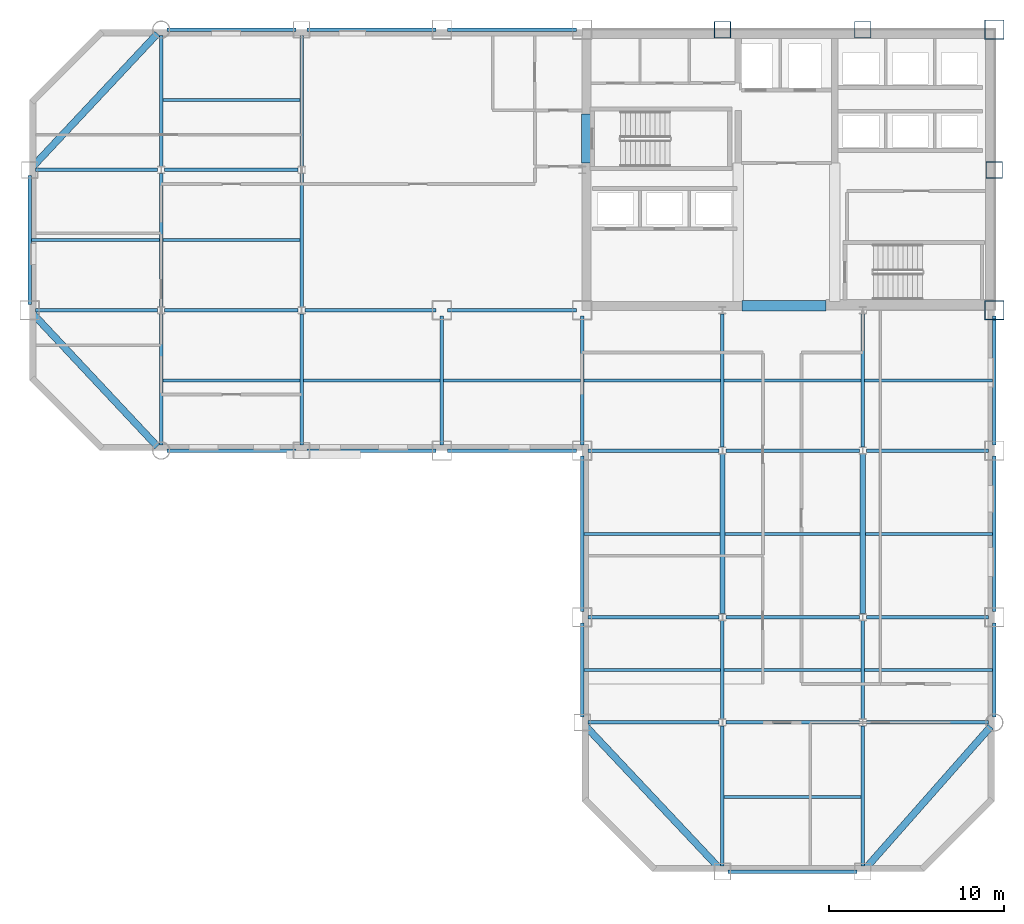
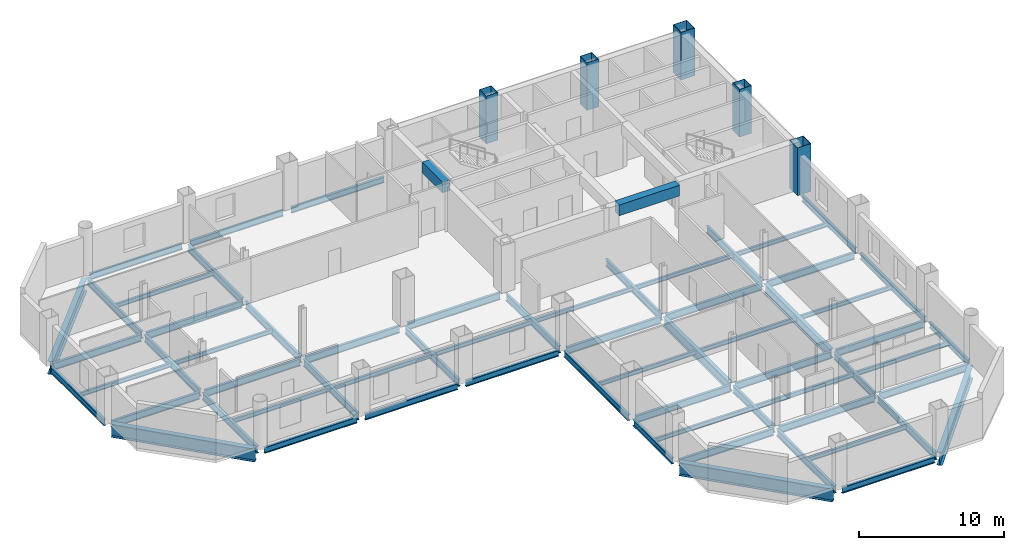
# One storey, part 4 of 9: 66 beams, 5 columns.
"""IFC4 building model written with IfcOpenShell, lengths in metres."""

import ifcopenshell
import ifcopenshell.guid

model = None  # the IFC model being written
_history = None  # IfcOwnerHistory: only IFC2X3 demands one
_inside = {}  # id of a spatial element -> (the spatial element, [elements in it])
_under = {}  # id of a project, library or spatial element -> (it, [spatial elements below it])
_declared = {}  # id of a project -> (the project, [libraries it declares])
_typed = {}  # id of a type object -> (the type object, [elements of that type])
_made_of = {}  # id of a material, layer set ... -> (it, [elements and type objects made of it])


def new_model(schema):
    """Start an empty IFC model of exactly this schema.

    Asked for "IFC4X3", IfcOpenShell would pick the latest addendum, in which some entities
    have other attributes; the version numbers below select the first issue.
    IFC2X3 requires an IfcOwnerHistory on every rooted entity: one is made here for all.
    """
    global model, _history
    if schema == "IFC4X3":
        model = ifcopenshell.file(schema_version=(4, 3, 0, 0))
    else:
        model = ifcopenshell.file(schema=schema)
    _inside.clear()
    _under.clear()
    _declared.clear()
    _typed.clear()
    _made_of.clear()
    _history = None
    if model.schema == "IFC2X3":
        org = make("IfcOrganization", Name="unknown")
        user = make(
            "IfcPersonAndOrganization",
            ThePerson=make("IfcPerson", FamilyName="unknown"),
            TheOrganization=org,
        )
        app = make(
            "IfcApplication",
            ApplicationDeveloper=org,
            Version="unknown",
            ApplicationFullName="unknown",
            ApplicationIdentifier="unknown",
        )
        _history = make(
            "IfcOwnerHistory",
            OwningUser=user,
            OwningApplication=app,
            ChangeAction="ADDED",
            CreationDate=0,
        )
    return model


def make(cls, **values):
    """One entity of the class cls with the attributes given. An attribute that is None is left unset."""
    return model.create_entity(
        cls, **{name: value for name, value in values.items() if value is not None}
    )


def rooted(cls, **values):
    """An entity with a GlobalId (a new one), such as an element, a storey or a relation."""
    return make(cls, GlobalId=ifcopenshell.guid.new(), OwnerHistory=_history, **values)


def si_unit(unit_type, name, prefix=None):
    """IfcSIUnit, for example si_unit("LENGTHUNIT", "METRE", prefix="MILLI")."""
    return make("IfcSIUnit", UnitType=unit_type, Prefix=prefix, Name=name)


def assignment(units):
    """IfcUnitAssignment: the units of a project."""
    return None if units is None else make("IfcUnitAssignment", Units=units)


def point(xyz):
    """IfcCartesianPoint."""
    return None if xyz is None else make("IfcCartesianPoint", Coordinates=xyz)


def direction(xyz):
    """IfcDirection."""
    return None if xyz is None else make("IfcDirection", DirectionRatios=xyz)


def frame(location, z_axis=None, x_axis=None):
    """IfcAxis2Placement3D, a coordinate frame: its origin and axes. An axis left out is left unset."""
    return make(
        "IfcAxis2Placement3D",
        Location=point(location),
        Axis=direction(z_axis),
        RefDirection=direction(x_axis),
    )


def frame_2d(location, x_axis=None):
    """IfcAxis2Placement2D, a coordinate frame in the plane: its origin and x axis."""
    return make(
        "IfcAxis2Placement2D", Location=point(location), RefDirection=direction(x_axis)
    )


def origin():
    """The frame at (0, 0, 0) with its axes left unset."""
    return frame((0.0, 0.0, 0.0))


def origin_2d():
    """The frame at (0, 0) in the plane with its x axis left unset."""
    return frame_2d((0.0, 0.0))


def place(relative_to, where):
    """IfcLocalPlacement: puts the frame where relative to a parent placement (None: the world)."""
    return make(
        "IfcLocalPlacement", PlacementRelTo=relative_to, RelativePlacement=where
    )


def context(
    kind, dimensions, precision=None, world=None, true_north=None, identifier=None
):
    """IfcGeometricRepresentationContext, for example the 3D "Model" context."""
    return make(
        "IfcGeometricRepresentationContext",
        ContextIdentifier=identifier,
        ContextType=kind,
        CoordinateSpaceDimension=dimensions,
        Precision=precision,
        WorldCoordinateSystem=world,
        TrueNorth=true_north,
    )


def subcontext(parent, identifier, kind, view, scale=None):
    """IfcGeometricRepresentationSubContext, for example "Body" below "Model"."""
    return make(
        "IfcGeometricRepresentationSubContext",
        ContextIdentifier=identifier,
        ContextType=kind,
        ParentContext=parent,
        TargetScale=scale,
        TargetView=view,
    )


def project(units=None, contexts=None):
    """IfcProject with its units and contexts."""
    return rooted(
        "IfcProject",
        Name="project",
        RepresentationContexts=contexts,
        UnitsInContext=assignment(units),
    )


def spatial(cls, under=None, at=None, **own):
    """A site, building, storey or space (cls), placed at a placement, below another one or the project."""
    s = rooted(cls, ObjectPlacement=at, **own)
    if under is not None:
        _under.setdefault(under.id(), (under, []))[1].append(s)
    return s


def profile(cls, at=None, kind="AREA", **sizes):
    """A parametric profile (cls). Its sizes go by their IFC names, for example OverallWidth=200.0."""
    return make(cls, ProfileType=kind, Position=at, **sizes)


def rectangle(**sizes):
    """IfcRectangleProfileDef."""
    return profile("IfcRectangleProfileDef", **sizes)


def hollow_rectangle(**sizes):
    """IfcRectangleHollowProfileDef."""
    return profile("IfcRectangleHollowProfileDef", **sizes)


def i_section(**sizes):
    """IfcIShapeProfileDef."""
    return profile("IfcIShapeProfileDef", **sizes)


def extrude(swept, where, along, depth):
    """IfcExtrudedAreaSolid: the profile swept, set in the frame where, extruded along a direction by depth."""
    return make(
        "IfcExtrudedAreaSolid",
        SweptArea=swept,
        Position=where,
        ExtrudedDirection=direction(along),
        Depth=depth,
    )


def shape(context_of_items, identifier, shape_type, items):
    """IfcShapeRepresentation: the items that make up one representation, for example the "Body"."""
    return make(
        "IfcShapeRepresentation",
        ContextOfItems=context_of_items,
        RepresentationIdentifier=identifier,
        RepresentationType=shape_type,
        Items=items,
    )


def material(Name=None, Category=None):
    """IfcMaterial."""
    return make("IfcMaterial", Name=Name, Category=Category)


def material_profile(
    of_material, cross_section, Name=None, Category=None, Priority=None
):
    """IfcMaterialProfile: a cross section and its material."""
    return make(
        "IfcMaterialProfile",
        Name=Name,
        Material=of_material,
        Profile=cross_section,
        Priority=Priority,
        Category=Category,
    )


def profile_set(profiles, Name=None, composite=None):
    """IfcMaterialProfileSet."""
    return make(
        "IfcMaterialProfileSet",
        Name=Name,
        MaterialProfiles=profiles,
        CompositeProfile=composite,
    )


def made_of(thing, what):
    """Note that an element or type object is made of a material, layer set ...; save() writes the relation."""
    if what is not None:
        _made_of.setdefault(what.id(), (what, []))[1].append(thing)
    return thing


def type_object(cls, material=None, **own):
    """A type object (cls), such as IfcWallType, which elements share."""
    return made_of(rooted(cls, **own), material)


def element(
    cls,
    number,
    at=None,
    inside=None,
    cuts=None,
    type_object=None,
    material=None,
    context=None,
    identifier="Body",
    shape_type=None,
    held_by="IfcProductDefinitionShape",
    body=None,
    shapes=None,
    **own,
):
    """One element of the class cls, such as IfcWall. Its Tag is "e" and its number.

    at: its placement. inside: the storey or other place that contains it. cuts: it is an
    opening in that element (IfcRelVoidsElement). A single representation is given by context,
    identifier, shape_type and body (its items); several are given by shapes. held_by: the class
    of the entity that holds the representations. save() writes the other relations.
    """
    e = rooted(cls, Tag="e%d" % number, ObjectPlacement=at, **own)
    if body is not None:
        shapes = [shape(context, identifier, shape_type, body)]
    if shapes is not None:
        e.Representation = make(held_by, Representations=shapes)
    if inside is not None:
        _inside.setdefault(inside.id(), (inside, []))[1].append(e)
    if cuts is not None:
        rooted(
            "IfcRelVoidsElement", RelatingBuildingElement=cuts, RelatedOpeningElement=e
        )
    if type_object is not None:
        _typed.setdefault(type_object.id(), (type_object, []))[1].append(e)
    return made_of(e, material)


def aggregate(whole, parts):
    """IfcRelAggregates: a whole, such as a stair, and the parts it consists of."""
    return rooted("IfcRelAggregates", RelatingObject=whole, RelatedObjects=parts)


def save(model, path):
    """Write the relations noted so far, then the file.

    IfcRelAggregates (storeys below a building ...), IfcRelContainedInSpatialStructure (elements
    in a storey), IfcRelDefinesByType, IfcRelAssociatesMaterial and IfcRelDeclares: one each for
    every whole, place, type object, material and project.
    """
    for whole, parts in _under.values():
        aggregate(whole, parts)
    for where, things in _inside.values():
        rooted(
            "IfcRelContainedInSpatialStructure",
            RelatedElements=things,
            RelatingStructure=where,
        )
    for kind, things in _typed.values():
        rooted("IfcRelDefinesByType", RelatedObjects=things, RelatingType=kind)
    for what, things in _made_of.values():
        rooted("IfcRelAssociatesMaterial", RelatedObjects=things, RelatingMaterial=what)
    for by, libraries in _declared.values():
        rooted("IfcRelDeclares", RelatingContext=by, RelatedDefinitions=libraries)
    model.write(path)


model = new_model("IFC4")

# Units and contexts
model_context = context("Model", 3, precision=1e-05, world=origin(), true_north=direction((0.0, 1.0)))
body_context = subcontext(model_context, "Body", "Model", "MODEL_VIEW")
ifc_project = project(units=[si_unit("LENGTHUNIT", "METRE"), si_unit("AREAUNIT", "SQUARE_METRE"), si_unit("VOLUMEUNIT", "CUBIC_METRE"), si_unit("PLANEANGLEUNIT", "RADIAN"), si_unit("MASSUNIT", "GRAM", prefix="KILO")], contexts=[model_context])

# Site, building, storey
site_placement = place(None, origin())
site = spatial("IfcSite", under=ifc_project, at=site_placement, CompositionType="ELEMENT")
building_placement = place(site_placement, origin())
building = spatial("IfcBuilding", under=site, at=building_placement, Name="Qianrong Seaharbour Tower", CompositionType="ELEMENT")
storey_placement = place(building_placement, frame((0.0, 0.0, 155.0)))
storey = spatial("IfcBuildingStorey", under=building, at=storey_placement, Name="L37", CompositionType="ELEMENT", Elevation=155.0)

# Columns
ifc_material_1 = material(Name="Structural steel SN490B", Category="steel")
ifc_material_profile_1 = material_profile(ifc_material_1, hollow_rectangle(XDim=1.10009765625, YDim=1.10009765625, WallThickness=0.0400390625, at=origin_2d()), Name="BOX1100x1100x40")
ifc_profile_set_1 = profile_set([ifc_material_profile_1], Name="Structural steel SN490B")
column_type_1 = type_object("IfcColumnType", Name="COL-CFT-1100", PredefinedType="COLUMN", material=ifc_profile_set_1)
for number, where, z_axis, x_axis, name in (
    (1, (64.0, 36.0, 0.0), (0.0, 0.0, 1.0), (1.0, 0.0, 0.0), "L37 Column MC-3 at G9/GF"),
    (2, (64.0, 52.0, 0.0), (0.0, 0.0, 1.0), (1.0, 0.0, 0.0), "L37 Column MC-3 at G9/GH"),
):
    element("IfcColumn", number, at=place(storey_placement, frame(where, z_axis=z_axis, x_axis=x_axis)), inside=storey, type_object=column_type_1, Name=name, PredefinedType="COLUMN", context=body_context, shape_type="SweptSolid", body=[
        extrude(hollow_rectangle(XDim=1.10009765625, YDim=1.10009765625, WallThickness=0.0400390625, at=origin_2d()), origin(), (0.0, 0.0, 1.0), 4.0),
    ])
ifc_material_profile_2 = material_profile(ifc_material_1, hollow_rectangle(XDim=0.949951171875, YDim=0.949951171875, WallThickness=0.035888671875, at=origin_2d()), Name="BOX950x950x36")
ifc_profile_set_2 = profile_set([ifc_material_profile_2], Name="Structural steel SN490B")
column_type_2 = type_object("IfcColumnType", Name="COL-PER-950", PredefinedType="COLUMN", material=ifc_profile_set_2)
for number, where, z_axis, x_axis, name in (
    (3, (48.5, 52.0, 0.0), (0.0, 0.0, 1.0), (1.0, 0.0, 0.0), "L37 Column PC-2 at G7/GH"),
    (4, (56.5, 52.0, 0.0), (0.0, 0.0, 1.0), (1.0, 0.0, 0.0), "L37 Column PC-2 at G8/GH"),
    (5, (64.0, 44.0, 0.0), (0.0, 0.0, 1.0), (1.0, 0.0, 0.0), "L37 Column PC-2 at G9/GG"),
):
    element("IfcColumn", number, at=place(storey_placement, frame(where, z_axis=z_axis, x_axis=x_axis)), inside=storey, type_object=column_type_2, Name=name, PredefinedType="COLUMN", context=body_context, shape_type="SweptSolid", body=[
        extrude(hollow_rectangle(XDim=0.949951171875, YDim=0.949951171875, WallThickness=0.035888671875, at=origin_2d()), origin(), (0.0, 0.0, 1.0), 4.0),
    ])

# Beams
ifc_material_profile_3 = material_profile(ifc_material_1, i_section(OverallWidth=0.199951171875, OverallDepth=0.60009765625, WebThickness=0.010986328125, FlangeThickness=0.01708984375, FilletRadius=0.02197265625, at=origin_2d()), Name="H600x200x11x17")
ifc_profile_set_3 = profile_set([ifc_material_profile_3], Name="Structural steel SN490B")
beam_type_1 = type_object("IfcBeamType", Name="BM-G-600", PredefinedType="BEAM", material=ifc_profile_set_3)
beam_1_placement = place(storey_placement, frame((40.820068359375, 12.5, -0.534912109375), z_axis=(1.0, 0.0, 0.0), x_axis=(0.0, 1.0, 0.0)))
element("IfcBeam", 6, at=beam_1_placement, inside=storey, type_object=beam_type_1, Name="L37 Primary Girder GC G6-G7", PredefinedType="BEAM", context=body_context, shape_type="SweptSolid", body=[
    extrude(i_section(OverallWidth=0.199951171875, OverallDepth=0.60009765625, WebThickness=0.010986328125, FlangeThickness=0.01708984375, FilletRadius=0.02197265625, at=origin_2d()), origin(), (0.0, 0.0, 1.0), 7.47998046875),
])
beam_2_placement = place(storey_placement, frame((48.699951171875, 12.5, -0.534912109375), z_axis=(1.0, 0.0, 0.0), x_axis=(0.0, 1.0, 0.0)))
element("IfcBeam", 7, at=beam_2_placement, inside=storey, type_object=beam_type_1, Name="L37 Primary Girder GC G7-G8", PredefinedType="BEAM", context=body_context, shape_type="SweptSolid", body=[
    extrude(i_section(OverallWidth=0.199951171875, OverallDepth=0.60009765625, WebThickness=0.010986328125, FlangeThickness=0.01708984375, FilletRadius=0.02197265625, at=origin_2d()), origin(), (0.0, 0.0, 1.0), 7.60009765625),
])
beam_3_placement = place(storey_placement, frame((56.699951171875, 12.5, -0.534912109375), z_axis=(1.0, 0.0, 0.0), x_axis=(0.0, 1.0, 0.0)))
element("IfcBeam", 8, at=beam_3_placement, inside=storey, type_object=beam_type_1, Name="L37 Primary Girder GC G8-G9", PredefinedType="BEAM", context=body_context, shape_type="SweptSolid", body=[
    extrude(i_section(OverallWidth=0.199951171875, OverallDepth=0.60009765625, WebThickness=0.010986328125, FlangeThickness=0.01708984375, FilletRadius=0.02197265625, at=origin_2d()), origin(), (0.0, 0.0, 1.0), 6.97998046875),
])
beam_4_placement = place(storey_placement, frame((40.820068359375, 18.5, -0.534912109375), z_axis=(1.0, 0.0, 0.0), x_axis=(0.0, 1.0, 0.0)))
element("IfcBeam", 9, at=beam_4_placement, inside=storey, type_object=beam_type_1, Name="L37 Primary Girder GD G6-G7", PredefinedType="BEAM", context=body_context, shape_type="SweptSolid", body=[
    extrude(i_section(OverallWidth=0.199951171875, OverallDepth=0.60009765625, WebThickness=0.010986328125, FlangeThickness=0.01708984375, FilletRadius=0.02197265625, at=origin_2d()), origin(), (0.0, 0.0, 1.0), 7.47998046875),
])
beam_5_placement = place(storey_placement, frame((48.699951171875, 18.5, -0.534912109375), z_axis=(1.0, 0.0, 0.0), x_axis=(0.0, 1.0, 0.0)))
element("IfcBeam", 10, at=beam_5_placement, inside=storey, type_object=beam_type_1, Name="L37 Primary Girder GD G7-G8", PredefinedType="BEAM", context=body_context, shape_type="SweptSolid", body=[
    extrude(i_section(OverallWidth=0.199951171875, OverallDepth=0.60009765625, WebThickness=0.010986328125, FlangeThickness=0.01708984375, FilletRadius=0.02197265625, at=origin_2d()), origin(), (0.0, 0.0, 1.0), 7.60009765625),
])
beam_6_placement = place(storey_placement, frame((56.699951171875, 18.5, -0.534912109375), z_axis=(1.0, 0.0, 0.0), x_axis=(0.0, 1.0, 0.0)))
element("IfcBeam", 11, at=beam_6_placement, inside=storey, type_object=beam_type_1, Name="L37 Primary Girder GD G8-G9", PredefinedType="BEAM", context=body_context, shape_type="SweptSolid", body=[
    extrude(i_section(OverallWidth=0.199951171875, OverallDepth=0.60009765625, WebThickness=0.010986328125, FlangeThickness=0.01708984375, FilletRadius=0.02197265625, at=origin_2d()), origin(), (0.0, 0.0, 1.0), 6.97998046875),
])
beam_7_placement = place(storey_placement, frame((40.820068359375, 28.0, -0.534912109375), z_axis=(1.0, 0.0, 0.0), x_axis=(0.0, 1.0, 0.0)))
element("IfcBeam", 12, at=beam_7_placement, inside=storey, type_object=beam_type_1, Name="L37 Primary Girder GE G6-G7", PredefinedType="BEAM", context=body_context, shape_type="SweptSolid", body=[
    extrude(i_section(OverallWidth=0.199951171875, OverallDepth=0.60009765625, WebThickness=0.010986328125, FlangeThickness=0.01708984375, FilletRadius=0.02197265625, at=origin_2d()), origin(), (0.0, 0.0, 1.0), 7.47998046875),
])
beam_8_placement = place(storey_placement, frame((48.699951171875, 28.0, -0.534912109375), z_axis=(1.0, 0.0, 0.0), x_axis=(0.0, 1.0, 0.0)))
element("IfcBeam", 13, at=beam_8_placement, inside=storey, type_object=beam_type_1, Name="L37 Primary Girder GE G7-G8", PredefinedType="BEAM", context=body_context, shape_type="SweptSolid", body=[
    extrude(i_section(OverallWidth=0.199951171875, OverallDepth=0.60009765625, WebThickness=0.010986328125, FlangeThickness=0.01708984375, FilletRadius=0.02197265625, at=origin_2d()), origin(), (0.0, 0.0, 1.0), 7.60009765625),
])
for number, where, z_axis, x_axis, name in (
    (14, (56.699951171875, 28.0, -0.534912109375), (1.0, 0.0, 0.0), (0.0, 1.0, 0.0), "L37 Primary Girder GE G8-G9"),
    (15, (9.320068359375, 36.0, -0.534912109375), (1.0, 0.0, 0.0), (0.0, 1.0, 0.0), "L37 Primary Girder GF G2-G3"),
):
    element("IfcBeam", number, at=place(storey_placement, frame(where, z_axis=z_axis, x_axis=x_axis)), inside=storey, type_object=beam_type_1, Name=name, PredefinedType="BEAM", context=body_context, shape_type="SweptSolid", body=[
        extrude(i_section(OverallWidth=0.199951171875, OverallDepth=0.60009765625, WebThickness=0.010986328125, FlangeThickness=0.01708984375, FilletRadius=0.02197265625, at=origin_2d()), origin(), (0.0, 0.0, 1.0), 6.97998046875),
    ])
beam_9_placement = place(storey_placement, frame((16.699951171875, 36.0, -0.534912109375), z_axis=(1.0, 0.0, 0.0), x_axis=(0.0, 1.0, 0.0)))
element("IfcBeam", 16, at=beam_9_placement, inside=storey, type_object=beam_type_1, Name="L37 Primary Girder GF G3-G4", PredefinedType="BEAM", context=body_context, shape_type="SweptSolid", body=[
    extrude(i_section(OverallWidth=0.199951171875, OverallDepth=0.60009765625, WebThickness=0.010986328125, FlangeThickness=0.01708984375, FilletRadius=0.02197265625, at=origin_2d()), origin(), (0.0, 0.0, 1.0), 7.60009765625),
])
beam_10_placement = place(storey_placement, frame((24.699951171875, 36.0, -0.534912109375), z_axis=(1.0, 0.0, 0.0), x_axis=(0.0, 1.0, 0.0)))
element("IfcBeam", 17, at=beam_10_placement, inside=storey, type_object=beam_type_1, Name="L37 Primary Girder GF G4-G5", PredefinedType="BEAM", context=body_context, shape_type="SweptSolid", body=[
    extrude(i_section(OverallWidth=0.199951171875, OverallDepth=0.60009765625, WebThickness=0.010986328125, FlangeThickness=0.01708984375, FilletRadius=0.02197265625, at=origin_2d()), origin(), (0.0, 0.0, 1.0), 7.47998046875),
])
beam_11_placement = place(storey_placement, frame((32.820068359375, 36.0, -0.534912109375), z_axis=(1.0, 0.0, 0.0), x_axis=(0.0, 1.0, 0.0)))
element("IfcBeam", 18, at=beam_11_placement, inside=storey, type_object=beam_type_1, Name="L37 Primary Girder GF G5-G6", PredefinedType="BEAM", context=body_context, shape_type="SweptSolid", body=[
    extrude(i_section(OverallWidth=0.199951171875, OverallDepth=0.60009765625, WebThickness=0.010986328125, FlangeThickness=0.01708984375, FilletRadius=0.02197265625, at=origin_2d()), origin(), (0.0, 0.0, 1.0), 7.35986328125),
])
beam_12_placement = place(storey_placement, frame((9.320068359375, 44.0, -0.534912109375), z_axis=(1.0, 0.0, 0.0), x_axis=(0.0, 1.0, 0.0)))
element("IfcBeam", 19, at=beam_12_placement, inside=storey, type_object=beam_type_1, Name="L37 Primary Girder GG G2-G3", PredefinedType="BEAM", context=body_context, shape_type="SweptSolid", body=[
    extrude(i_section(OverallWidth=0.199951171875, OverallDepth=0.60009765625, WebThickness=0.010986328125, FlangeThickness=0.01708984375, FilletRadius=0.02197265625, at=origin_2d()), origin(), (0.0, 0.0, 1.0), 6.97998046875),
])
beam_13_placement = place(storey_placement, frame((16.699951171875, 44.0, -0.534912109375), z_axis=(1.0, 0.0, 0.0), x_axis=(0.0, 1.0, 0.0)))
element("IfcBeam", 20, at=beam_13_placement, inside=storey, type_object=beam_type_1, Name="L37 Primary Girder GG G3-G4", PredefinedType="BEAM", context=body_context, shape_type="SweptSolid", body=[
    extrude(i_section(OverallWidth=0.199951171875, OverallDepth=0.60009765625, WebThickness=0.010986328125, FlangeThickness=0.01708984375, FilletRadius=0.02197265625, at=origin_2d()), origin(), (0.0, 0.0, 1.0), 7.60009765625),
])
beam_14_placement = place(storey_placement, frame((16.5, 28.320068359375, -0.534912109375), z_axis=(0.0, 1.0, 0.0), x_axis=(-1.0, 0.0, 0.0)))
element("IfcBeam", 21, at=beam_14_placement, inside=storey, type_object=beam_type_1, Name="L37 Primary Girder G3 GE-GF", PredefinedType="BEAM", context=body_context, shape_type="SweptSolid", body=[
    extrude(i_section(OverallWidth=0.199951171875, OverallDepth=0.60009765625, WebThickness=0.010986328125, FlangeThickness=0.01708984375, FilletRadius=0.02197265625, at=origin_2d()), origin(), (0.0, 0.0, 1.0), 7.47998046875),
])
beam_15_placement = place(storey_placement, frame((16.5, 36.199951171875, -0.534912109375), z_axis=(0.0, 1.0, 0.0), x_axis=(-1.0, 0.0, 0.0)))
element("IfcBeam", 22, at=beam_15_placement, inside=storey, type_object=beam_type_1, Name="L37 Primary Girder G3 GF-GG", PredefinedType="BEAM", context=body_context, shape_type="SweptSolid", body=[
    extrude(i_section(OverallWidth=0.199951171875, OverallDepth=0.60009765625, WebThickness=0.010986328125, FlangeThickness=0.01708984375, FilletRadius=0.02197265625, at=origin_2d()), origin(), (0.0, 0.0, 1.0), 7.60009765625),
])
for number, where, z_axis, x_axis, name in (
    (23, (16.5, 44.199951171875, -0.534912109375), (0.0, 1.0, 0.0), (-1.0, 0.0, 0.0), "L37 Primary Girder G3 GG-GH"),
    (24, (24.5, 28.320068359375, -0.534912109375), (0.0, 1.0, 0.0), (-1.0, 0.0, 0.0), "L37 Primary Girder G4 GE-GF"),
):
    element("IfcBeam", number, at=place(storey_placement, frame(where, z_axis=z_axis, x_axis=x_axis)), inside=storey, type_object=beam_type_1, Name=name, PredefinedType="BEAM", context=body_context, shape_type="SweptSolid", body=[
        extrude(i_section(OverallWidth=0.199951171875, OverallDepth=0.60009765625, WebThickness=0.010986328125, FlangeThickness=0.01708984375, FilletRadius=0.02197265625, at=origin_2d()), origin(), (0.0, 0.0, 1.0), 7.47998046875),
    ])
beam_16_placement = place(storey_placement, frame((24.5, 36.199951171875, -0.534912109375), z_axis=(0.0, 1.0, 0.0), x_axis=(-1.0, 0.0, 0.0)))
element("IfcBeam", 25, at=beam_16_placement, inside=storey, type_object=beam_type_1, Name="L37 Primary Girder G4 GF-GG", PredefinedType="BEAM", context=body_context, shape_type="SweptSolid", body=[
    extrude(i_section(OverallWidth=0.199951171875, OverallDepth=0.60009765625, WebThickness=0.010986328125, FlangeThickness=0.01708984375, FilletRadius=0.02197265625, at=origin_2d()), origin(), (0.0, 0.0, 1.0), 7.60009765625),
])
beam_17_placement = place(storey_placement, frame((24.5, 44.199951171875, -0.534912109375), z_axis=(0.0, 1.0, 0.0), x_axis=(-1.0, 0.0, 0.0)))
element("IfcBeam", 26, at=beam_17_placement, inside=storey, type_object=beam_type_1, Name="L37 Primary Girder G4 GG-GH", PredefinedType="BEAM", context=body_context, shape_type="SweptSolid", body=[
    extrude(i_section(OverallWidth=0.199951171875, OverallDepth=0.60009765625, WebThickness=0.010986328125, FlangeThickness=0.01708984375, FilletRadius=0.02197265625, at=origin_2d()), origin(), (0.0, 0.0, 1.0), 7.47998046875),
])
for number, where, z_axis, x_axis, name in (
    (27, (32.5, 28.320068359375, -0.534912109375), (0.0, 1.0, 0.0), (-1.0, 0.0, 0.0), "L37 Primary Girder G5 GE-GF"),
    (28, (40.5, 28.320068359375, -0.534912109375), (0.0, 1.0, 0.0), (-1.0, 0.0, 0.0), "L37 Primary Girder G6 GE-GF"),
):
    element("IfcBeam", number, at=place(storey_placement, frame(where, z_axis=z_axis, x_axis=x_axis)), inside=storey, type_object=beam_type_1, Name=name, PredefinedType="BEAM", context=body_context, shape_type="SweptSolid", body=[
        extrude(i_section(OverallWidth=0.199951171875, OverallDepth=0.60009765625, WebThickness=0.010986328125, FlangeThickness=0.01708984375, FilletRadius=0.02197265625, at=origin_2d()), origin(), (0.0, 0.0, 1.0), 7.35986328125),
    ])
beam_18_placement = place(storey_placement, frame((48.5, 4.320068359375, -0.534912109375), z_axis=(0.0, 1.0, 0.0), x_axis=(-1.0, 0.0, 0.0)))
element("IfcBeam", 29, at=beam_18_placement, inside=storey, type_object=beam_type_1, Name="L37 Primary Girder G7 GB-GC", PredefinedType="BEAM", context=body_context, shape_type="SweptSolid", body=[
    extrude(i_section(OverallWidth=0.199951171875, OverallDepth=0.60009765625, WebThickness=0.010986328125, FlangeThickness=0.01708984375, FilletRadius=0.02197265625, at=origin_2d()), origin(), (0.0, 0.0, 1.0), 7.97998046875),
])
beam_19_placement = place(storey_placement, frame((48.5, 12.699951171875, -0.534912109375), z_axis=(0.0, 1.0, 0.0), x_axis=(-1.0, 0.0, 0.0)))
element("IfcBeam", 30, at=beam_19_placement, inside=storey, type_object=beam_type_1, Name="L37 Primary Girder G7 GC-GD", PredefinedType="BEAM", context=body_context, shape_type="SweptSolid", body=[
    extrude(i_section(OverallWidth=0.199951171875, OverallDepth=0.60009765625, WebThickness=0.010986328125, FlangeThickness=0.01708984375, FilletRadius=0.02197265625, at=origin_2d()), origin(), (0.0, 0.0, 1.0), 5.60009765625),
])
beam_20_placement = place(storey_placement, frame((48.5, 28.199951171875, -0.534912109375), z_axis=(0.0, 1.0, 0.0), x_axis=(-1.0, 0.0, 0.0)))
element("IfcBeam", 31, at=beam_20_placement, inside=storey, type_object=beam_type_1, Name="L37 Primary Girder G7 GE-GF", PredefinedType="BEAM", context=body_context, shape_type="SweptSolid", body=[
    extrude(i_section(OverallWidth=0.199951171875, OverallDepth=0.60009765625, WebThickness=0.010986328125, FlangeThickness=0.01708984375, FilletRadius=0.02197265625, at=origin_2d()), origin(), (0.0, 0.0, 1.0), 7.60009765625),
])
beam_21_placement = place(storey_placement, frame((56.5, 4.320068359375, -0.534912109375), z_axis=(0.0, 1.0, 0.0), x_axis=(-1.0, 0.0, 0.0)))
element("IfcBeam", 32, at=beam_21_placement, inside=storey, type_object=beam_type_1, Name="L37 Primary Girder G8 GB-GC", PredefinedType="BEAM", context=body_context, shape_type="SweptSolid", body=[
    extrude(i_section(OverallWidth=0.199951171875, OverallDepth=0.60009765625, WebThickness=0.010986328125, FlangeThickness=0.01708984375, FilletRadius=0.02197265625, at=origin_2d()), origin(), (0.0, 0.0, 1.0), 7.97998046875),
])
beam_22_placement = place(storey_placement, frame((56.5, 12.699951171875, -0.534912109375), z_axis=(0.0, 1.0, 0.0), x_axis=(-1.0, 0.0, 0.0)))
element("IfcBeam", 33, at=beam_22_placement, inside=storey, type_object=beam_type_1, Name="L37 Primary Girder G8 GC-GD", PredefinedType="BEAM", context=body_context, shape_type="SweptSolid", body=[
    extrude(i_section(OverallWidth=0.199951171875, OverallDepth=0.60009765625, WebThickness=0.010986328125, FlangeThickness=0.01708984375, FilletRadius=0.02197265625, at=origin_2d()), origin(), (0.0, 0.0, 1.0), 5.60009765625),
])
beam_23_placement = place(storey_placement, frame((56.5, 28.199951171875, -0.534912109375), z_axis=(0.0, 1.0, 0.0), x_axis=(-1.0, 0.0, 0.0)))
element("IfcBeam", 34, at=beam_23_placement, inside=storey, type_object=beam_type_1, Name="L37 Primary Girder G8 GE-GF", PredefinedType="BEAM", context=body_context, shape_type="SweptSolid", body=[
    extrude(i_section(OverallWidth=0.199951171875, OverallDepth=0.60009765625, WebThickness=0.010986328125, FlangeThickness=0.01708984375, FilletRadius=0.02197265625, at=origin_2d()), origin(), (0.0, 0.0, 1.0), 7.60009765625),
])
ifc_material_profile_4 = material_profile(ifc_material_1, i_section(OverallWidth=0.300048828125, OverallDepth=0.800048828125, WebThickness=0.013916015625, FlangeThickness=0.02587890625, FilletRadius=0.028076171875, at=origin_2d()), Name="H800x300x14x26")
ifc_profile_set_4 = profile_set([ifc_material_profile_4], Name="Structural steel SN490B")
beam_type_2 = type_object("IfcBeamType", Name="BM-G-800", PredefinedType="BEAM", material=ifc_profile_set_4)
for number, where, z_axis, x_axis, name in (
    (35, (48.5, 18.699951171875, -0.635009765625), (0.0, 1.0, 0.0), (-1.0, 0.0, 0.0), "L37 Primary Girder G7 GD-GE"),
    (36, (56.5, 18.699951171875, -0.635009765625), (0.0, 1.0, 0.0), (-1.0, 0.0, 0.0), "L37 Primary Girder G8 GD-GE"),
):
    element("IfcBeam", number, at=place(storey_placement, frame(where, z_axis=z_axis, x_axis=x_axis)), inside=storey, type_object=beam_type_2, Name=name, PredefinedType="BEAM", context=body_context, shape_type="SweptSolid", body=[
        extrude(i_section(OverallWidth=0.300048828125, OverallDepth=0.800048828125, WebThickness=0.013916015625, FlangeThickness=0.02587890625, FilletRadius=0.028076171875, at=origin_2d()), origin(), (0.0, 0.0, 1.0), 9.10009765625),
    ])
ifc_material_2 = material(Name="Structural steel SN400B", Category="steel")
ifc_material_profile_5 = material_profile(ifc_material_2, i_section(OverallWidth=0.175048828125, OverallDepth=0.35009765625, WebThickness=0.007080078125, FlangeThickness=0.010986328125, FilletRadius=0.013916015625, at=origin_2d()), Name="H350x175x7x11")
ifc_profile_set_5 = profile_set([ifc_material_profile_5], Name="Structural steel SN400B")
beam_type_3 = type_object("IfcBeamType", Name="BM-J-350", PredefinedType="JOIST", material=ifc_profile_set_5)
beam_24_placement = place(storey_placement, frame((9.10009765625, 40.0, -0.409912109375), z_axis=(1.0, 0.0, 0.0), x_axis=(0.0, 1.0, 0.0)))
element("IfcBeam", 37, at=beam_24_placement, inside=storey, type_object=beam_type_3, Name="L37 Composite Floor Joist G2-G3/GF-GG", PredefinedType="JOIST", context=body_context, shape_type="SweptSolid", body=[
    extrude(i_section(OverallWidth=0.175048828125, OverallDepth=0.35009765625, WebThickness=0.007080078125, FlangeThickness=0.010986328125, FilletRadius=0.013916015625, at=origin_2d()), origin(), (0.0, 0.0, 1.0), 7.2998046875),
])
for number, where, z_axis, x_axis, name in (
    (38, (16.60009765625, 32.0, -0.409912109375), (1.0, 0.0, 0.0), (0.0, 1.0, 0.0), "L37 Composite Floor Joist G3-G4/GE-GF"),
    (39, (16.60009765625, 40.0, -0.409912109375), (1.0, 0.0, 0.0), (0.0, 1.0, 0.0), "L37 Composite Floor Joist G3-G4/GF-GG"),
    (40, (16.60009765625, 48.0, -0.409912109375), (1.0, 0.0, 0.0), (0.0, 1.0, 0.0), "L37 Composite Floor Joist G3-G4/GG-GH"),
    (41, (24.60009765625, 32.0, -0.409912109375), (1.0, 0.0, 0.0), (0.0, 1.0, 0.0), "L37 Composite Floor Joist G4-G5/GE-GF"),
    (42, (32.60009765625, 32.0, -0.409912109375), (1.0, 0.0, 0.0), (0.0, 1.0, 0.0), "L37 Composite Floor Joist G5-G6/GE-GF"),
    (43, (40.60009765625, 15.5, -0.409912109375), (1.0, 0.0, 0.0), (0.0, 1.0, 0.0), "L37 Composite Floor Joist G6-G7/GC-GD"),
):
    element("IfcBeam", number, at=place(storey_placement, frame(where, z_axis=z_axis, x_axis=x_axis)), inside=storey, type_object=beam_type_3, Name=name, PredefinedType="JOIST", context=body_context, shape_type="SweptSolid", body=[
        extrude(i_section(OverallWidth=0.175048828125, OverallDepth=0.35009765625, WebThickness=0.007080078125, FlangeThickness=0.010986328125, FilletRadius=0.013916015625, at=origin_2d()), origin(), (0.0, 0.0, 1.0), 7.7998046875),
    ])
beam_25_placement = place(storey_placement, frame((40.60009765625, 23.25, -0.409912109375), z_axis=(1.0, 0.0, 0.0), x_axis=(0.0, 1.0, 0.0)))
element("IfcBeam", 44, at=beam_25_placement, inside=storey, type_object=beam_type_3, Name="L37 Composite Floor Joist G6-G7/GD-GE", PredefinedType="JOIST", context=body_context, shape_type="SweptSolid", body=[
    extrude(i_section(OverallWidth=0.175048828125, OverallDepth=0.35009765625, WebThickness=0.007080078125, FlangeThickness=0.010986328125, FilletRadius=0.013916015625, at=origin_2d()), origin(), (0.0, 0.0, 1.0), 7.75),
])
for number, where, z_axis, x_axis, name in (
    (45, (40.60009765625, 32.0, -0.409912109375), (1.0, 0.0, 0.0), (0.0, 1.0, 0.0), "L37 Composite Floor Joist G6-G7/GE-GF"),
    (46, (48.60009765625, 8.25, -0.409912109375), (1.0, 0.0, 0.0), (0.0, 1.0, 0.0), "L37 Composite Floor Joist G7-G8/GB-GC"),
    (47, (48.60009765625, 15.5, -0.409912109375), (1.0, 0.0, 0.0), (0.0, 1.0, 0.0), "L37 Composite Floor Joist G7-G8/GC-GD"),
):
    element("IfcBeam", number, at=place(storey_placement, frame(where, z_axis=z_axis, x_axis=x_axis)), inside=storey, type_object=beam_type_3, Name=name, PredefinedType="JOIST", context=body_context, shape_type="SweptSolid", body=[
        extrude(i_section(OverallWidth=0.175048828125, OverallDepth=0.35009765625, WebThickness=0.007080078125, FlangeThickness=0.010986328125, FilletRadius=0.013916015625, at=origin_2d()), origin(), (0.0, 0.0, 1.0), 7.7998046875),
    ])
beam_26_placement = place(storey_placement, frame((48.64990234375, 23.25, -0.409912109375), z_axis=(1.0, 0.0, 0.0), x_axis=(0.0, 1.0, 0.0)))
element("IfcBeam", 48, at=beam_26_placement, inside=storey, type_object=beam_type_3, Name="L37 Composite Floor Joist G7-G8/GD-GE", PredefinedType="JOIST", context=body_context, shape_type="SweptSolid", body=[
    extrude(i_section(OverallWidth=0.175048828125, OverallDepth=0.35009765625, WebThickness=0.007080078125, FlangeThickness=0.010986328125, FilletRadius=0.013916015625, at=origin_2d()), origin(), (0.0, 0.0, 1.0), 7.7001953125),
])
beam_27_placement = place(storey_placement, frame((48.60009765625, 32.0, -0.409912109375), z_axis=(1.0, 0.0, 0.0), x_axis=(0.0, 1.0, 0.0)))
element("IfcBeam", 49, at=beam_27_placement, inside=storey, type_object=beam_type_3, Name="L37 Composite Floor Joist G7-G8/GE-GF", PredefinedType="JOIST", context=body_context, shape_type="SweptSolid", body=[
    extrude(i_section(OverallWidth=0.175048828125, OverallDepth=0.35009765625, WebThickness=0.007080078125, FlangeThickness=0.010986328125, FilletRadius=0.013916015625, at=origin_2d()), origin(), (0.0, 0.0, 1.0), 7.7998046875),
])
beam_28_placement = place(storey_placement, frame((56.60009765625, 15.5, -0.409912109375), z_axis=(1.0, 0.0, 0.0), x_axis=(0.0, 1.0, 0.0)))
element("IfcBeam", 50, at=beam_28_placement, inside=storey, type_object=beam_type_3, Name="L37 Composite Floor Joist G8-G9/GC-GD", PredefinedType="JOIST", context=body_context, shape_type="SweptSolid", body=[
    extrude(i_section(OverallWidth=0.175048828125, OverallDepth=0.35009765625, WebThickness=0.007080078125, FlangeThickness=0.010986328125, FilletRadius=0.013916015625, at=origin_2d()), origin(), (0.0, 0.0, 1.0), 7.2998046875),
])
beam_29_placement = place(storey_placement, frame((56.64990234375, 23.25, -0.409912109375), z_axis=(1.0, 0.0, 0.0), x_axis=(0.0, 1.0, 0.0)))
element("IfcBeam", 51, at=beam_29_placement, inside=storey, type_object=beam_type_3, Name="L37 Composite Floor Joist G8-G9/GD-GE", PredefinedType="JOIST", context=body_context, shape_type="SweptSolid", body=[
    extrude(i_section(OverallWidth=0.175048828125, OverallDepth=0.35009765625, WebThickness=0.007080078125, FlangeThickness=0.010986328125, FilletRadius=0.013916015625, at=origin_2d()), origin(), (0.0, 0.0, 1.0), 7.25),
])
beam_30_placement = place(storey_placement, frame((56.60009765625, 32.0, -0.409912109375), z_axis=(1.0, 0.0, 0.0), x_axis=(0.0, 1.0, 0.0)))
element("IfcBeam", 52, at=beam_30_placement, inside=storey, type_object=beam_type_3, Name="L37 Composite Floor Joist G8-G9/GE-GF", PredefinedType="JOIST", context=body_context, shape_type="SweptSolid", body=[
    extrude(i_section(OverallWidth=0.175048828125, OverallDepth=0.35009765625, WebThickness=0.007080078125, FlangeThickness=0.010986328125, FilletRadius=0.013916015625, at=origin_2d()), origin(), (0.0, 0.0, 1.0), 7.2998046875),
])
ifc_material_3 = material(Name="Concrete C70/85", Category="concrete")
ifc_material_profile_6 = material_profile(ifc_material_3, rectangle(XDim=0.60009765625, YDim=0.89990234375, at=origin_2d()), Name="RC600x900")
ifc_profile_set_6 = profile_set([ifc_material_profile_6], Name="Concrete C70/85")
beam_type_4 = type_object("IfcBeamType", Name="BM-LINTEL-900", PredefinedType="LINTEL", material=ifc_profile_set_6)
beam_31_placement = place(storey_placement, frame((40.75, 44.39990234375, 3.31494140625), z_axis=(0.0, 1.0, 0.0), x_axis=(-1.0, 0.0, 0.0)))
element("IfcBeam", 53, at=beam_31_placement, inside=storey, type_object=beam_type_4, Name="L37 Core Coupling Lintel Beam West", PredefinedType="LINTEL", context=body_context, shape_type="SweptSolid", body=[
    extrude(rectangle(XDim=0.60009765625, YDim=0.89990234375, at=origin_2d()), origin(), (0.0, 0.0, 1.0), 2.800048828125),
])
beam_32_placement = place(storey_placement, frame((49.60009765625, 36.25, 3.31494140625), z_axis=(1.0, 0.0, 0.0), x_axis=(0.0, 1.0, 0.0)))
element("IfcBeam", 54, at=beam_32_placement, inside=storey, type_object=beam_type_4, Name="L37 Core Coupling Lintel Beam CBC", PredefinedType="LINTEL", context=body_context, shape_type="SweptSolid", body=[
    extrude(rectangle(XDim=0.60009765625, YDim=0.89990234375, at=origin_2d()), origin(), (0.0, 0.0, 1.0), 4.7998046875),
])
ifc_material_profile_7 = material_profile(ifc_material_1, i_section(OverallWidth=0.199951171875, OverallDepth=0.5, WebThickness=0.010009765625, FlangeThickness=0.01611328125, FilletRadius=0.02001953125, at=origin_2d()), Name="H500x200x10x16")
ifc_profile_set_7 = profile_set([ifc_material_profile_7], Name="Structural steel SN490B")
beam_type_5 = type_object("IfcBeamType", Name="BM-SP-500", PredefinedType="SPANDREL", material=ifc_profile_set_7)
for number, where, z_axis, x_axis, name in (
    (55, (48.820068359375, 4.0, -0.485107421875), (1.0, 0.0, 0.0), (0.0, 1.0, 0.0), "L37 Spandrel Girder GB G7-G8"),
    (56, (16.820068359375, 28.0, -0.485107421875), (1.0, 0.0, 0.0), (0.0, 1.0, 0.0), "L37 Spandrel Girder GE G3-G4"),
    (57, (24.820068359375, 28.0, -0.485107421875), (1.0, 0.0, 0.0), (0.0, 1.0, 0.0), "L37 Spandrel Girder GE G4-G5"),
    (58, (32.820068359375, 28.0, -0.485107421875), (1.0, 0.0, 0.0), (0.0, 1.0, 0.0), "L37 Spandrel Girder GE G5-G6"),
    (59, (16.820068359375, 52.0, -0.485107421875), (1.0, 0.0, 0.0), (0.0, 1.0, 0.0), "L37 Spandrel Girder GH G3-G4"),
    (60, (24.820068359375, 52.0, -0.485107421875), (1.0, 0.0, 0.0), (0.0, 1.0, 0.0), "L37 Spandrel Girder GH G4-G5"),
    (61, (32.820068359375, 52.0, -0.485107421875), (1.0, 0.0, 0.0), (0.0, 1.0, 0.0), "L37 Spandrel Girder GH G5-G6"),
    (62, (9.0, 36.320068359375, -0.485107421875), (0.0, 1.0, 0.0), (-1.0, 0.0, 0.0), "L37 Spandrel Girder G2 GF-GG"),
):
    element("IfcBeam", number, at=place(storey_placement, frame(where, z_axis=z_axis, x_axis=x_axis)), inside=storey, type_object=beam_type_5, Name=name, PredefinedType="SPANDREL", context=body_context, shape_type="SweptSolid", body=[
        extrude(i_section(OverallWidth=0.199951171875, OverallDepth=0.5, WebThickness=0.010009765625, FlangeThickness=0.01611328125, FilletRadius=0.02001953125, at=origin_2d()), origin(), (0.0, 0.0, 1.0), 7.35986328125),
    ])
beam_33_placement = place(storey_placement, frame((40.5, 12.820068359375, -0.485107421875), z_axis=(0.0, 1.0, 0.0), x_axis=(-1.0, 0.0, 0.0)))
element("IfcBeam", 63, at=beam_33_placement, inside=storey, type_object=beam_type_5, Name="L37 Spandrel Girder G6 GC-GD", PredefinedType="SPANDREL", context=body_context, shape_type="SweptSolid", body=[
    extrude(i_section(OverallWidth=0.199951171875, OverallDepth=0.5, WebThickness=0.010009765625, FlangeThickness=0.01611328125, FilletRadius=0.02001953125, at=origin_2d()), origin(), (0.0, 0.0, 1.0), 5.35986328125),
])
beam_34_placement = place(storey_placement, frame((40.5, 18.820068359375, -0.485107421875), z_axis=(0.0, 1.0, 0.0), x_axis=(-1.0, 0.0, 0.0)))
element("IfcBeam", 64, at=beam_34_placement, inside=storey, type_object=beam_type_5, Name="L37 Spandrel Girder G6 GD-GE", PredefinedType="SPANDREL", context=body_context, shape_type="SweptSolid", body=[
    extrude(i_section(OverallWidth=0.199951171875, OverallDepth=0.5, WebThickness=0.010009765625, FlangeThickness=0.01611328125, FilletRadius=0.02001953125, at=origin_2d()), origin(), (0.0, 0.0, 1.0), 8.85986328125),
])
beam_35_placement = place(storey_placement, frame((64.0, 12.820068359375, -0.485107421875), z_axis=(0.0, 1.0, 0.0), x_axis=(-1.0, 0.0, 0.0)))
element("IfcBeam", 65, at=beam_35_placement, inside=storey, type_object=beam_type_5, Name="L37 Spandrel Girder G9 GC-GD", PredefinedType="SPANDREL", context=body_context, shape_type="SweptSolid", body=[
    extrude(i_section(OverallWidth=0.199951171875, OverallDepth=0.5, WebThickness=0.010009765625, FlangeThickness=0.01611328125, FilletRadius=0.02001953125, at=origin_2d()), origin(), (0.0, 0.0, 1.0), 5.35986328125),
])
beam_36_placement = place(storey_placement, frame((64.0, 18.820068359375, -0.485107421875), z_axis=(0.0, 1.0, 0.0), x_axis=(-1.0, 0.0, 0.0)))
element("IfcBeam", 66, at=beam_36_placement, inside=storey, type_object=beam_type_5, Name="L37 Spandrel Girder G9 GD-GE", PredefinedType="SPANDREL", context=body_context, shape_type="SweptSolid", body=[
    extrude(i_section(OverallWidth=0.199951171875, OverallDepth=0.5, WebThickness=0.010009765625, FlangeThickness=0.01611328125, FilletRadius=0.02001953125, at=origin_2d()), origin(), (0.0, 0.0, 1.0), 8.85986328125),
])
beam_37_placement = place(storey_placement, frame((64.0, 28.320068359375, -0.485107421875), z_axis=(0.0, 1.0, 0.0), x_axis=(-1.0, 0.0, 0.0)))
element("IfcBeam", 67, at=beam_37_placement, inside=storey, type_object=beam_type_5, Name="L37 Spandrel Girder G9 GE-GF", PredefinedType="SPANDREL", context=body_context, shape_type="SweptSolid", body=[
    extrude(i_section(OverallWidth=0.199951171875, OverallDepth=0.5, WebThickness=0.010009765625, FlangeThickness=0.01611328125, FilletRadius=0.02001953125, at=origin_2d()), origin(), (0.0, 0.0, 1.0), 7.35986328125),
])
ifc_material_profile_8 = material_profile(ifc_material_1, i_section(OverallWidth=0.39990234375, OverallDepth=1.10009765625, WebThickness=0.02001953125, FlangeThickness=0.035888671875, at=origin_2d()), Name="BH1100x400x20x36")
ifc_profile_set_8 = profile_set([ifc_material_profile_8], Name="Structural steel SN490B")
beam_type_6 = type_object("IfcBeamType", Name="BM-TG-1100", PredefinedType="BEAM", material=ifc_profile_set_8)
for number, where, z_axis, x_axis, name in (
    (68, (16.28125, 28.2333984375, -0.784912109375), (-0.683947420573, 0.729531305628, 0.0), (-0.729531305628, -0.683947420573, 0.0), "L37 Chamfer Corner Spandrel Girder G2/GE"),
    (69, (16.28125, 51.7666015625, -0.784912109375), (-0.683947420573, -0.729531305628, 0.0), (0.729531305628, -0.683947420573, 0.0), "L37 Chamfer Corner Spandrel Girder G2/GH"),
):
    element("IfcBeam", number, at=place(storey_placement, frame(where, z_axis=z_axis, x_axis=x_axis)), inside=storey, type_object=beam_type_6, Name=name, PredefinedType="BEAM", context=body_context, shape_type="SweptSolid", body=[
        extrude(i_section(OverallWidth=0.39990234375, OverallDepth=1.10009765625, WebThickness=0.02001953125, FlangeThickness=0.035888671875, at=origin_2d()), origin(), (0.0, 0.0, 1.0), 10.326171875),
    ])
beam_38_placement = place(storey_placement, frame((48.28076171875, 4.23291015625, -0.784912109375), z_axis=(-0.685361938021, 0.728202591256, 0.0), x_axis=(-0.728202591256, -0.685361938021, 0.0)))
element("IfcBeam", 70, at=beam_38_placement, inside=storey, type_object=beam_type_6, Name="L37 Chamfer Corner Spandrel Girder G6/GB", PredefinedType="BEAM", context=body_context, shape_type="SweptSolid", body=[
    extrude(i_section(OverallWidth=0.39990234375, OverallDepth=1.10009765625, WebThickness=0.02001953125, FlangeThickness=0.035888671875, at=origin_2d()), origin(), (0.0, 0.0, 1.0), 11.032958984375),
])
beam_39_placement = place(storey_placement, frame((56.711669921875, 4.239990234375, -0.784912109375), z_axis=(0.661630696334, 0.749829861815, 0.0), x_axis=(-0.749829861815, 0.661630696334, 0.0)))
element("IfcBeam", 71, at=beam_39_placement, inside=storey, type_object=beam_type_6, Name="L37 Chamfer Corner Spandrel Girder G9/GB", PredefinedType="BEAM", context=body_context, shape_type="SweptSolid", body=[
    extrude(i_section(OverallWidth=0.39990234375, OverallDepth=1.10009765625, WebThickness=0.02001953125, FlangeThickness=0.035888671875, at=origin_2d()), origin(), (0.0, 0.0, 1.0), 10.69580078125),
])

save(model, "model.ifc")
